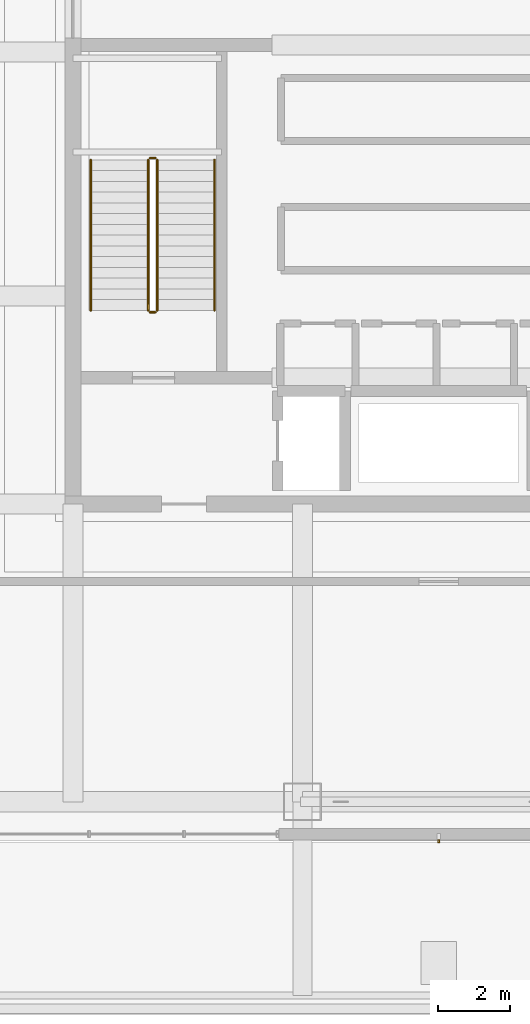
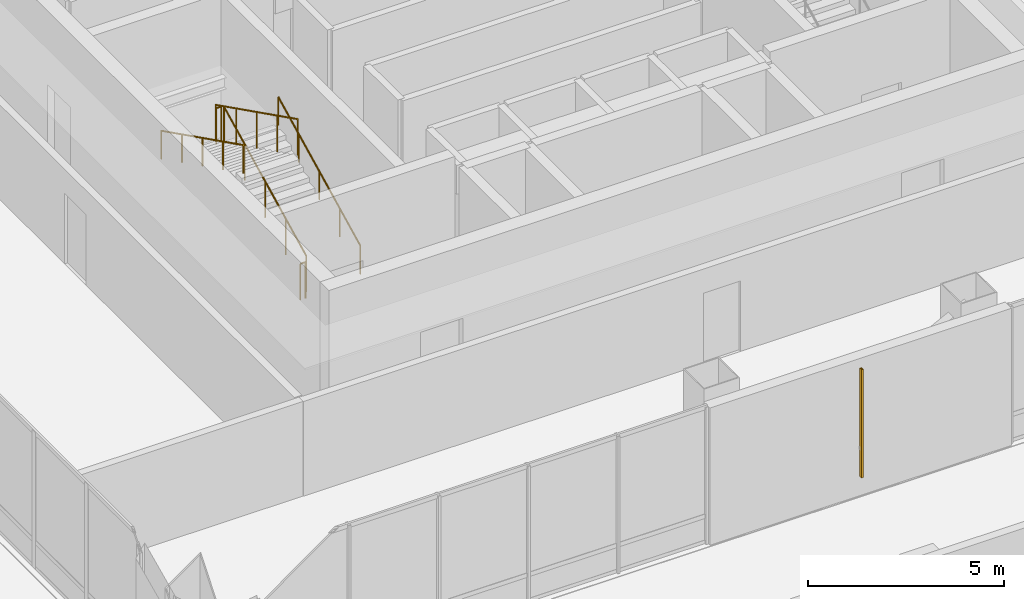
# One storey, part 31 of 33: 6 railings, 1 shading device.
"""IFC4 building model written with IfcOpenShell, lengths in metres."""

from ifc_helpers import new_model, si_unit, direction, frame, origin, origin_2d, place, context, subcontext, project, spatial, hollow_rectangle, circle, extrude, material, material_profile, profile_set, type_object, element, save


model = new_model("IFC4")

# Units and contexts
model_context = context("Model", 3, precision=1e-05, world=origin(), true_north=direction((0.0, 1.0)))
body_context = subcontext(model_context, "Body", "Model", "MODEL_VIEW")
ifc_project = project(units=[si_unit("LENGTHUNIT", "METRE"), si_unit("AREAUNIT", "SQUARE_METRE"), si_unit("VOLUMEUNIT", "CUBIC_METRE"), si_unit("PLANEANGLEUNIT", "RADIAN"), si_unit("MASSUNIT", "GRAM", prefix="KILO")], contexts=[model_context])

# Site, building, storey
site_placement = place(None, origin())
site = spatial("IfcSite", under=ifc_project, at=site_placement, CompositionType="ELEMENT")
building_placement = place(site_placement, origin())
building = spatial("IfcBuilding", under=site, at=building_placement, Name="Punatoya Terracotta Tower", CompositionType="ELEMENT")
storey_placement = place(building_placement, frame((0.0, 0.0, 343.800048828125)))
storey = spatial("IfcBuildingStorey", under=building, at=storey_placement, Name="L81", CompositionType="ELEMENT", Elevation=343.800048828125)

# Railings
ifc_material_1 = material(Name="Steel S355", Category="steel")
railing_type_1 = type_object("IfcRailingType", Name="RLG-GRD-1150", PredefinedType="GUARDRAIL", material=ifc_material_1)
railing_1_placement = place(storey_placement, frame((-7.85009765625, -3.800048828125, 0.14990234375)))
element("IfcRailing", 1, at=railing_1_placement, inside=storey, type_object=railing_type_1, Name="L81 ST-1 stair guard 1", PredefinedType="GUARDRAIL", context=body_context, shape_type="SweptSolid", body=[
    extrude(circle(Radius=0.02392578125, at=origin_2d()), frame((0.0, 0.0, 1.1259765625), z_axis=(0.0, 0.894416792377, 0.447234392142), x_axis=(-1.0, 0.0, 0.0)), (0.0, 0.0, 1.0), 4.69580078125),
    extrude(circle(Radius=0.02099609375, at=origin_2d()), origin(), (0.0, 0.0, 1.0), 1.101806640625),
    extrude(circle(Radius=0.02099609375, at=origin_2d()), frame((0.0, 1.050048828125, 0.52490234375)), (0.0, 0.0, 1.0), 1.101806640625),
    extrude(circle(Radius=0.02099609375, at=origin_2d()), frame((0.0, 2.10009765625, 1.050048828125)), (0.0, 0.0, 1.0), 1.101806640625),
    extrude(circle(Radius=0.02099609375, at=origin_2d()), frame((0.0, 3.14990234375, 1.5751953125)), (0.0, 0.0, 1.0), 1.101806640625),
    extrude(circle(Radius=0.02099609375, at=origin_2d()), frame((0.0, 4.199951171875, 2.10009765625)), (0.0, 0.0, 1.0), 1.101806640625),
])
railing_2_placement = place(storey_placement, frame((-7.89990234375, 0.449951171875, 2.25)))
element("IfcRailing", 2, at=railing_2_placement, inside=storey, type_object=railing_type_1, Name="L81 ST-1 stair guard 2", PredefinedType="GUARDRAIL", context=body_context, shape_type="SweptSolid", body=[
    extrude(circle(Radius=0.02392578125, at=origin_2d()), frame((0.0, 0.0, 1.1259765625), z_axis=(-1.0, 0.0, 0.0), x_axis=(0.0, -1.0, 0.0)), (0.0, 0.0, 1.0), 0.150146484375),
    extrude(circle(Radius=0.02099609375, at=origin_2d()), origin(), (0.0, 0.0, 1.0), 1.101806640625),
    extrude(circle(Radius=0.02099609375, at=origin_2d()), frame((-0.150146484375, 0.0, 0.0)), (0.0, 0.0, 1.0), 1.101806640625),
])
railing_3_placement = place(storey_placement, frame((-8.10009765625, 0.39990234375, 2.39990234375)))
element("IfcRailing", 3, at=railing_3_placement, inside=storey, type_object=railing_type_1, Name="L81 ST-1 stair guard 3", PredefinedType="GUARDRAIL", context=body_context, shape_type="SweptSolid", body=[
    extrude(circle(Radius=0.02392578125, at=origin_2d()), frame((0.0, 0.0, 1.1259765625), z_axis=(0.0, -0.894416792377, 0.447234392142), x_axis=(1.0, 0.0, 0.0)), (0.0, 0.0, 1.0), 4.69580078125),
    extrude(circle(Radius=0.02099609375, at=origin_2d()), origin(), (0.0, 0.0, 1.0), 1.101806640625),
    extrude(circle(Radius=0.02099609375, at=origin_2d()), frame((0.0, -1.050048828125, 0.52490234375)), (0.0, 0.0, 1.0), 1.101806640625),
    extrude(circle(Radius=0.02099609375, at=origin_2d()), frame((0.0, -2.10009765625, 1.050048828125)), (0.0, 0.0, 1.0), 1.101806640625),
    extrude(circle(Radius=0.02099609375, at=origin_2d()), frame((0.0, -3.14990234375, 1.5751953125)), (0.0, 0.0, 1.0), 1.101806640625),
    extrude(circle(Radius=0.02099609375, at=origin_2d()), frame((0.0, -4.199951171875, 2.10009765625)), (0.0, 0.0, 1.0), 1.101806640625),
])
railing_4_placement = place(storey_placement, frame((-7.89990234375, -3.85009765625, 0.0)))
element("IfcRailing", 4, at=railing_4_placement, inside=storey, type_object=railing_type_1, Name="L81 ST-1 stair guard 4", PredefinedType="GUARDRAIL", context=body_context, shape_type="SweptSolid", body=[
    extrude(circle(Radius=0.02392578125, at=origin_2d()), frame((0.0, 0.0, 1.1259765625), z_axis=(-1.0, 0.0, 0.0), x_axis=(0.0, -1.0, 0.0)), (0.0, 0.0, 1.0), 0.150146484375),
    extrude(circle(Radius=0.02099609375, at=origin_2d()), origin(), (0.0, 0.0, 1.0), 1.101806640625),
    extrude(circle(Radius=0.02099609375, at=origin_2d()), frame((-0.150146484375, 0.0, 0.0)), (0.0, 0.0, 1.0), 1.101806640625),
])
railing_type_2 = type_object("IfcRailingType", Name="RLG-HND-900", PredefinedType="HANDRAIL", material=ifc_material_1)
railing_5_placement = place(storey_placement, frame((-6.25, -3.800048828125, 0.14990234375)))
element("IfcRailing", 5, at=railing_5_placement, inside=storey, type_object=railing_type_2, Name="L81 ST-1 stair handrail 1", PredefinedType="HANDRAIL", context=body_context, shape_type="SweptSolid", body=[
    extrude(circle(Radius=0.02392578125, at=origin_2d()), frame((0.0, 0.0, 0.8759765625), z_axis=(0.0, 0.894416792377, 0.447234392142), x_axis=(-1.0, 0.0, 0.0)), (0.0, 0.0, 1.0), 4.69580078125),
    extrude(circle(Radius=0.02099609375, at=origin_2d()), origin(), (0.0, 0.0, 1.0), 0.851806640625),
    extrude(circle(Radius=0.02099609375, at=origin_2d()), frame((0.0, 1.050048828125, 0.52490234375)), (0.0, 0.0, 1.0), 0.851806640625),
    extrude(circle(Radius=0.02099609375, at=origin_2d()), frame((0.0, 2.10009765625, 1.050048828125)), (0.0, 0.0, 1.0), 0.851806640625),
    extrude(circle(Radius=0.02099609375, at=origin_2d()), frame((0.0, 3.14990234375, 1.5751953125)), (0.0, 0.0, 1.0), 0.851806640625),
    extrude(circle(Radius=0.02099609375, at=origin_2d()), frame((0.0, 4.199951171875, 2.10009765625)), (0.0, 0.0, 1.0), 0.851806640625),
])
railing_6_placement = place(storey_placement, frame((-9.699951171875, 0.39990234375, 2.39990234375)))
element("IfcRailing", 6, at=railing_6_placement, inside=storey, type_object=railing_type_2, Name="L81 ST-1 stair handrail 2", PredefinedType="HANDRAIL", context=body_context, shape_type="SweptSolid", body=[
    extrude(circle(Radius=0.02392578125, at=origin_2d()), frame((0.0, 0.0, 0.8759765625), z_axis=(0.0, -0.894416792377, 0.447234392142), x_axis=(1.0, 0.0, 0.0)), (0.0, 0.0, 1.0), 4.69580078125),
    extrude(circle(Radius=0.02099609375, at=origin_2d()), origin(), (0.0, 0.0, 1.0), 0.851806640625),
    extrude(circle(Radius=0.02099609375, at=origin_2d()), frame((0.0, -1.050048828125, 0.52490234375)), (0.0, 0.0, 1.0), 0.851806640625),
    extrude(circle(Radius=0.02099609375, at=origin_2d()), frame((0.0, -2.10009765625, 1.050048828125)), (0.0, 0.0, 1.0), 0.851806640625),
    extrude(circle(Radius=0.02099609375, at=origin_2d()), frame((0.0, -3.14990234375, 1.5751953125)), (0.0, 0.0, 1.0), 0.851806640625),
    extrude(circle(Radius=0.02099609375, at=origin_2d()), frame((0.0, -4.199951171875, 2.10009765625)), (0.0, 0.0, 1.0), 0.851806640625),
])

# Shading device
ifc_material_2 = material(Name="Architectural Fired Terracotta", Category="masonry")
ifc_material_profile = material_profile(ifc_material_2, hollow_rectangle(XDim=0.06005859375, YDim=0.090087890625, WallThickness=0.013916015625, at=origin_2d()))
ifc_profile_set = profile_set([ifc_material_profile], Name="Architectural Fired Terracotta")
shading_device_type = type_object("IfcShadingDeviceType", Name="SHD-JALI-90", PredefinedType="JALOUSIE", material=ifc_profile_set)
shading_device_placement = place(storey_placement, frame((0.0, -18.60009765625, 0.599853515625), z_axis=(0.0, 0.0, 1.0), x_axis=(1.0, 0.0, 0.0)))
element("IfcShadingDevice", 7, at=shading_device_placement, inside=storey, type_object=shading_device_type, Name="L81 Braced Bay Terracotta Jali Fin S1", PredefinedType="JALOUSIE", context=body_context, shape_type="SweptSolid", body=[
    extrude(hollow_rectangle(XDim=0.06005859375, YDim=0.090087890625, WallThickness=0.013916015625, at=origin_2d()), origin(), (0.0, 0.0, 1.0), 3.380126953125),
])

save(model, "model.ifc")
